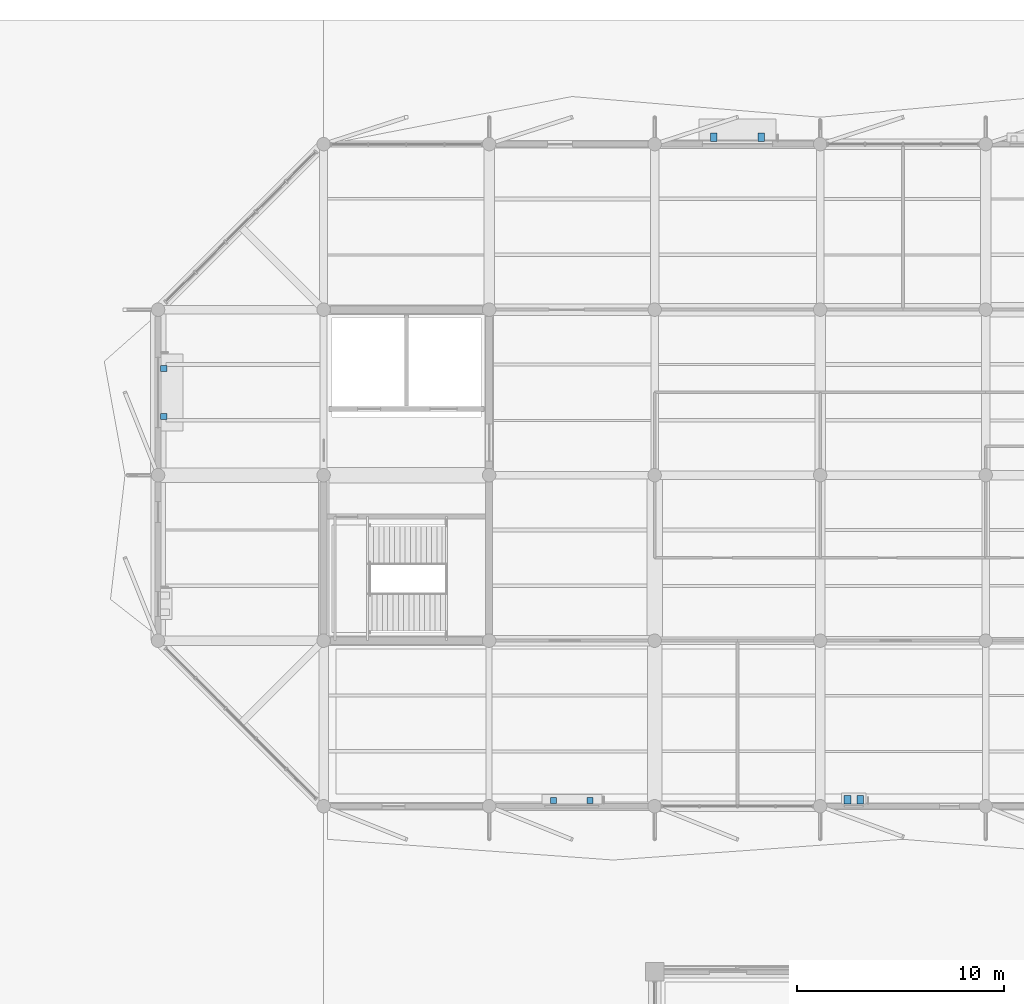
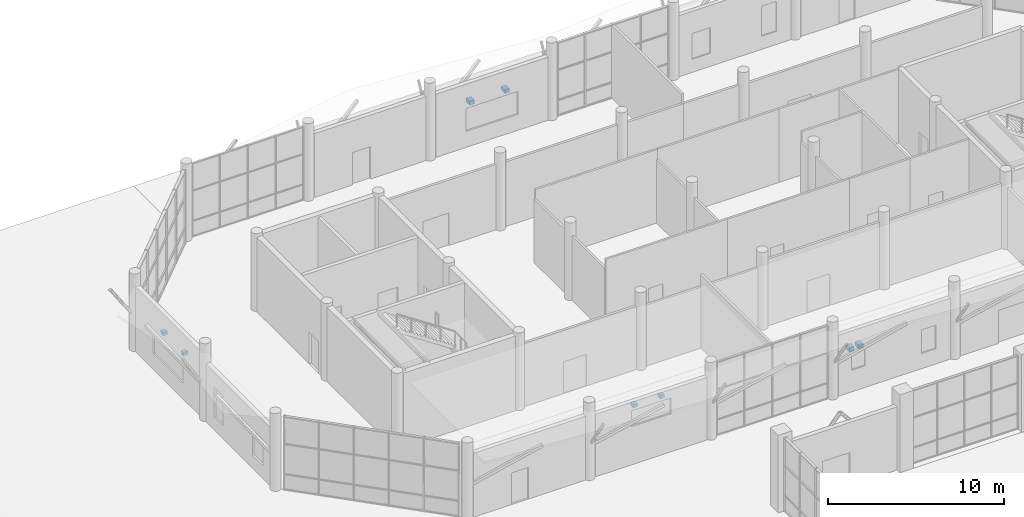
# One storey, part 111 of 123: 8 discrete accessories.
"""IFC4 building model written with IfcOpenShell, lengths in metres."""

from ifc_helpers import new_model, si_unit, direction, frame, origin, origin_2d, place, context, subcontext, project, spatial, rectangle, extrude, material, type_object, element, save


model = new_model("IFC4")

# Units and contexts
model_context = context("Model", 3, precision=1e-05, world=origin(), true_north=direction((0.0, 1.0)))
body_context = subcontext(model_context, "Body", "Model", "MODEL_VIEW")
ifc_project = project(units=[si_unit("LENGTHUNIT", "METRE"), si_unit("AREAUNIT", "SQUARE_METRE"), si_unit("VOLUMEUNIT", "CUBIC_METRE"), si_unit("PLANEANGLEUNIT", "RADIAN"), si_unit("MASSUNIT", "GRAM", prefix="KILO")], contexts=[model_context])

# Site, building, storey
site_placement = place(None, origin())
site = spatial("IfcSite", under=ifc_project, at=site_placement, CompositionType="ELEMENT")
building_placement = place(site_placement, origin())
building = spatial("IfcBuilding", under=site, at=building_placement, Name="Tenunan Teduh Sports Hall", CompositionType="ELEMENT")
storey_placement = place(building_placement, origin())
storey = spatial("IfcBuildingStorey", under=building, at=storey_placement, Name="L00", CompositionType="ELEMENT", Elevation=0.0)

# Discrete accessories
ifc_material_1 = material(Name="Steel S355", Category="steel")
discrete_accessory_type_1 = type_object("IfcDiscreteAccessoryType", Name="BRK-SHD-1", PredefinedType="BRACKET", material=ifc_material_1)
for number, where, z_axis, x_axis, name in (
    (1, (117.111083984375, 86.27001953125, 3.7001953125), (0.0, 0.0, 1.0), (1.0, 0.0, 0.0), "BRK-L00-072-1"),
    (2, (118.87890625, 86.27001953125, 3.7001953125), (0.0, 0.0, 1.0), (1.0, 0.0, 0.0), "BRK-L00-072-2"),
    (3, (98.27001953125, 104.839111328125, 2.64990234375), (0.0, 0.0, 1.0), (0.0, 1.0, 0.0), "BRK-L00-080-1"),
    (4, (98.27001953125, 107.15087890625, 2.64990234375), (0.0, 0.0, 1.0), (0.0, 1.0, 0.0), "BRK-L00-080-2"),
):
    element("IfcDiscreteAccessory", number, at=place(storey_placement, frame(where, z_axis=z_axis, x_axis=x_axis)), inside=storey, type_object=discrete_accessory_type_1, Name=name, PredefinedType="BRACKET", context=body_context, shape_type="SweptSolid", body=[
        extrude(rectangle(XDim=0.280029296875, YDim=0.300048828125, at=origin_2d()), origin(), (0.0, 0.0, 1.0), 0.219970703125),
    ])
ifc_material_2 = material(Name="Steel S355", Category="steel")
discrete_accessory_type_2 = type_object("IfcDiscreteAccessoryType", Name="BRK-SHD-2", PredefinedType="BRACKET", material=ifc_material_2)
for number, where, z_axis, x_axis, name in (
    (5, (131.319091796875, 86.31494140625, 2.6298828125), (0.0, 0.0, 1.0), (1.0, 0.0, 0.0), "BRK-L00-073-1"),
    (6, (131.930908203125, 86.31494140625, 2.6298828125), (0.0, 0.0, 1.0), (1.0, 0.0, 0.0), "BRK-L00-073-2"),
    (7, (124.84912109375, 118.330078125, 2.6298828125), (0.0, 0.0, 1.0), (1.0, 0.0, 0.0), "BRK-L00-077-1"),
    (8, (127.160888671875, 118.330078125, 2.6298828125), (0.0, 0.0, 1.0), (1.0, 0.0, 0.0), "BRK-L00-077-2"),
):
    element("IfcDiscreteAccessory", number, at=place(storey_placement, frame(where, z_axis=z_axis, x_axis=x_axis)), inside=storey, type_object=discrete_accessory_type_2, Name=name, PredefinedType="BRACKET", context=body_context, shape_type="SweptSolid", body=[
        extrude(rectangle(XDim=0.320068359375, YDim=0.419921875, at=origin_2d()), origin(), (0.0, 0.0, 1.0), 0.260009765625),
    ])

save(model, "model.ifc")
